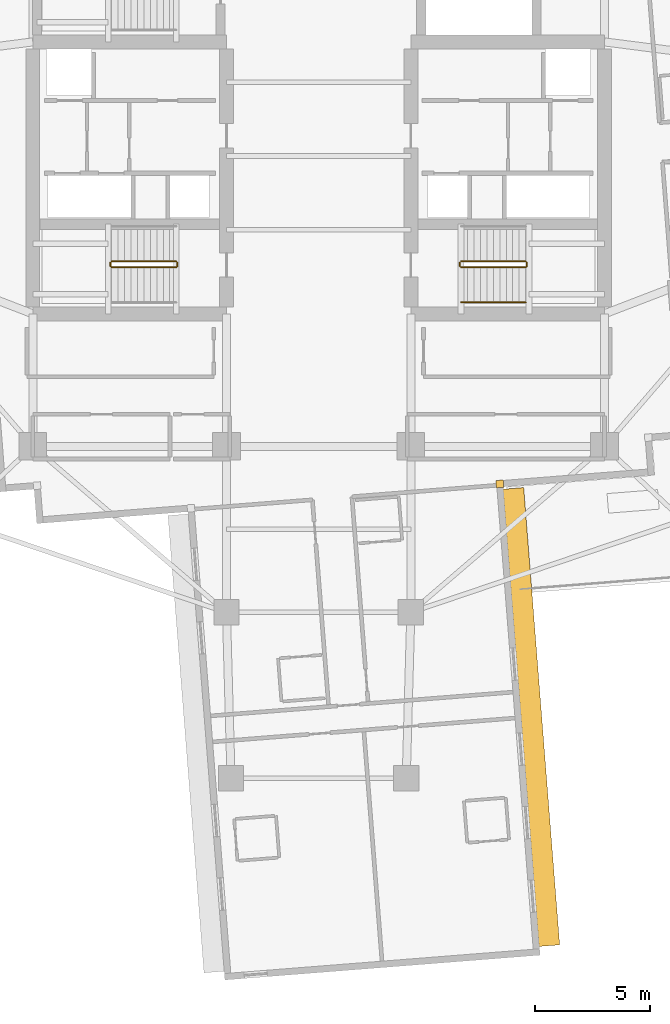
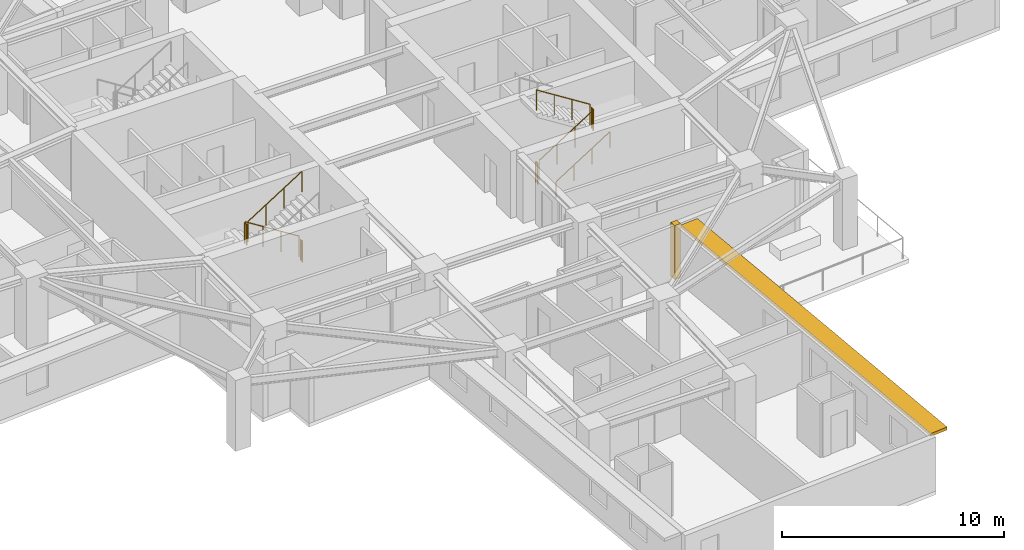
# One storey, part 11 of 14: 9 railings, 1 covering, 1 shading device.
"""IFC4 building model written with IfcOpenShell, lengths in metres."""

from ifc_helpers import new_model, si_unit, direction, frame, origin, origin_2d, place, context, subcontext, project, spatial, rectangle, circle, extrude, material, layer, layer_set, type_object, element, save


model = new_model("IFC4")

# Units and contexts
model_context = context("Model", 3, precision=1e-05, world=origin(), true_north=direction((0.0, 1.0)))
body_context = subcontext(model_context, "Body", "Model", "MODEL_VIEW")
ifc_project = project(units=[si_unit("LENGTHUNIT", "METRE"), si_unit("AREAUNIT", "SQUARE_METRE"), si_unit("VOLUMEUNIT", "CUBIC_METRE"), si_unit("PLANEANGLEUNIT", "RADIAN"), si_unit("MASSUNIT", "GRAM", prefix="KILO")], contexts=[model_context])

# Site, building, storey
site_placement = place(None, origin())
site = spatial("IfcSite", under=ifc_project, at=site_placement, CompositionType="ELEMENT")
building_placement = place(site_placement, origin())
building = spatial("IfcBuilding", under=site, at=building_placement, Name="Qingluan Cross Belvedere", CompositionType="ELEMENT")
storey_placement = place(building_placement, frame((0.0, 0.0, 124.199951171875)))
storey = spatial("IfcBuildingStorey", under=building, at=storey_placement, Name="L31", CompositionType="ELEMENT", Elevation=124.199951171875)

# Covering
ifc_material_1 = material(Name="Precast concrete C45", Category="concrete")
ifc_layer_1 = layer(ifc_material_1, 0.1201171875, Name="ConcreteSpandrelCladding_120")
ifc_layer_set_1 = layer_set([ifc_layer_1], Name="Precast concrete C45")
covering_type = type_object("IfcCoveringType", Name="ConcreteSpandrelCladding_120", PredefinedType="CLADDING", material=ifc_layer_set_1)
covering_placement = place(storey_placement, frame((7.860595703125, -14.22705078125, 0.0), z_axis=(0.0, 0.0, 1.0), x_axis=(0.996917333733, 0.078459095728, 0.0)))
element("IfcCovering", 1, at=covering_placement, inside=storey, type_object=covering_type, Name="Corner closure L31-SE2", PredefinedType="CLADDING", context=body_context, shape_type="SweptSolid", body=[
    extrude(rectangle(XDim=0.320068359375, YDim=0.320068359375, at=origin_2d()), origin(), (0.0, 0.0, 1.0), 2.969970703125),
])

# Shading device
ifc_material_2 = material(Name="Precast concrete C45", Category="concrete")
ifc_layer_2 = layer(ifc_material_2, 0.159912109375, Name="ConcreteSunshadeBand_900")
ifc_layer_set_2 = layer_set([ifc_layer_2], Name="Precast concrete C45")
shading_device_type = type_object("IfcShadingDeviceType", Name="ConcreteSunshadeBand_900", PredefinedType="USERDEFINED", material=ifc_layer_set_2)
shading_device_placement = place(storey_placement, frame((9.228271484375, -24.341064453125, 2.7900390625), z_axis=(0.0, 0.0, 1.0), x_axis=(-0.078457869429, 0.996917430244, 0.0)))
element("IfcShadingDevice", 2, at=shading_device_placement, inside=storey, type_object=shading_device_type, Name="Concrete SUNSHADE L31-SB", ObjectType="SUNSHADE", PredefinedType="USERDEFINED", context=body_context, shape_type="SweptSolid", body=[
    extrude(rectangle(XDim=19.89990234375, YDim=0.89990234375, at=origin_2d()), origin(), (0.0, 0.0, 1.0), 0.159912109375),
])

# Railings
ifc_material_3 = material(Name="Brushed stainless steel tubular handrail", Category="steel")
railing_type_1 = type_object("IfcRailingType", Name="StairPitchHandrail_900", PredefinedType="HANDRAIL", material=ifc_material_3)
railing_1_placement = place(storey_placement, frame((6.179931640625, -6.35009765625, 0.17724609375)))
element("IfcRailing", 3, at=railing_1_placement, inside=storey, type_object=railing_type_1, Name="L31 ST2 stair handrail 1", PredefinedType="HANDRAIL", context=body_context, shape_type="SweptSolid", body=[
    extrude(circle(Radius=0.02392578125, at=origin_2d()), frame((0.0, 0.0, 0.8759765625), z_axis=(0.844908973607, 0.0, 0.534910110503), x_axis=(0.0, 1.0, 0.0)), (0.0, 0.0, 1.0), 3.31396484375),
    extrude(circle(Radius=0.02099609375, at=origin_2d()), origin(), (0.0, 0.0, 1.0), 0.851806640625),
    extrude(circle(Radius=0.02099609375, at=origin_2d()), frame((0.933349609375, 0.0, 0.5908203125)), (0.0, 0.0, 1.0), 0.851806640625),
    extrude(circle(Radius=0.02099609375, at=origin_2d()), frame((1.86669921875, 0.0, 1.181884765625)), (0.0, 0.0, 1.0), 0.851806640625),
    extrude(circle(Radius=0.02099609375, at=origin_2d()), frame((2.800048828125, 0.0, 1.772705078125)), (0.0, 0.0, 1.0), 0.851806640625),
])
ifc_material_4 = material(Name="Painted steel stair well guard", Category="steel")
railing_type_2 = type_object("IfcRailingType", Name="StairWellGuard_1150", PredefinedType="BALUSTRADE", material=ifc_material_4)
railing_2_placement = place(storey_placement, frame((-6.179931640625, -4.570068359375, 0.17724609375)))
element("IfcRailing", 4, at=railing_2_placement, inside=storey, type_object=railing_type_2, Name="L31 ST1 stair guard 1", PredefinedType="BALUSTRADE", context=body_context, shape_type="SweptSolid", body=[
    extrude(circle(Radius=0.02392578125, at=origin_2d()), frame((0.0, 0.0, 1.1259765625), z_axis=(-0.844908973607, 0.0, 0.534910110503), x_axis=(0.0, -1.0, 0.0)), (0.0, 0.0, 1.0), 3.31396484375),
    extrude(circle(Radius=0.02099609375, at=origin_2d()), origin(), (0.0, 0.0, 1.0), 1.101806640625),
    extrude(circle(Radius=0.02099609375, at=origin_2d()), frame((-0.933349609375, 0.0, 0.5908203125)), (0.0, 0.0, 1.0), 1.101806640625),
    extrude(circle(Radius=0.02099609375, at=origin_2d()), frame((-1.86669921875, 0.0, 1.181884765625)), (0.0, 0.0, 1.0), 1.101806640625),
    extrude(circle(Radius=0.02099609375, at=origin_2d()), frame((-2.800048828125, 0.0, 1.772705078125)), (0.0, 0.0, 1.0), 1.101806640625),
])
railing_3_placement = place(storey_placement, frame((-9.030029296875, -4.6201171875, 1.949951171875)))
element("IfcRailing", 5, at=railing_3_placement, inside=storey, type_object=railing_type_2, Name="L31 ST1 stair guard 2", PredefinedType="BALUSTRADE", context=body_context, shape_type="SweptSolid", body=[
    extrude(circle(Radius=0.02392578125, at=origin_2d()), frame((0.0, 0.0, 1.1259765625), z_axis=(0.0, -1.0, 0.0), x_axis=(1.0, 0.0, 0.0)), (0.0, 0.0, 1.0), 0.159912109375),
    extrude(circle(Radius=0.02099609375, at=origin_2d()), origin(), (0.0, 0.0, 1.0), 1.101806640625),
    extrude(circle(Radius=0.02099609375, at=origin_2d()), frame((0.0, -0.159912109375, 0.0)), (0.0, 0.0, 1.0), 1.101806640625),
])
railing_4_placement = place(storey_placement, frame((-8.97998046875, -4.830078125, 2.12744140625)))
element("IfcRailing", 6, at=railing_4_placement, inside=storey, type_object=railing_type_2, Name="L31 ST1 stair guard 3", PredefinedType="BALUSTRADE", context=body_context, shape_type="SweptSolid", body=[
    extrude(circle(Radius=0.02392578125, at=origin_2d()), frame((0.0, 0.0, 1.1259765625), z_axis=(0.844908973607, 0.0, 0.534910110503), x_axis=(0.0, 1.0, 0.0)), (0.0, 0.0, 1.0), 3.31396484375),
    extrude(circle(Radius=0.02099609375, at=origin_2d()), origin(), (0.0, 0.0, 1.0), 1.101806640625),
    extrude(circle(Radius=0.02099609375, at=origin_2d()), frame((0.933349609375, 0.0, 0.5908203125)), (0.0, 0.0, 1.0), 1.101806640625),
    extrude(circle(Radius=0.02099609375, at=origin_2d()), frame((1.86669921875, 0.0, 1.181884765625)), (0.0, 0.0, 1.0), 1.101806640625),
    extrude(circle(Radius=0.02099609375, at=origin_2d()), frame((2.800048828125, 0.0, 1.772705078125)), (0.0, 0.0, 1.0), 1.101806640625),
])
railing_5_placement = place(storey_placement, frame((-6.1298828125, -4.6201171875, 0.0)))
element("IfcRailing", 7, at=railing_5_placement, inside=storey, type_object=railing_type_2, Name="L31 ST1 stair guard 4", PredefinedType="BALUSTRADE", context=body_context, shape_type="SweptSolid", body=[
    extrude(circle(Radius=0.02392578125, at=origin_2d()), frame((0.0, 0.0, 1.1259765625), z_axis=(0.0, -1.0, 0.0), x_axis=(1.0, 0.0, 0.0)), (0.0, 0.0, 1.0), 0.159912109375),
    extrude(circle(Radius=0.02099609375, at=origin_2d()), origin(), (0.0, 0.0, 1.0), 1.101806640625),
    extrude(circle(Radius=0.02099609375, at=origin_2d()), frame((0.0, -0.159912109375, 0.0)), (0.0, 0.0, 1.0), 1.101806640625),
])
railing_6_placement = place(storey_placement, frame((6.179931640625, -4.830078125, 0.17724609375)))
element("IfcRailing", 8, at=railing_6_placement, inside=storey, type_object=railing_type_2, Name="L31 ST2 stair guard 1", PredefinedType="BALUSTRADE", context=body_context, shape_type="SweptSolid", body=[
    extrude(circle(Radius=0.02392578125, at=origin_2d()), frame((0.0, 0.0, 1.1259765625), z_axis=(0.844908973607, 0.0, 0.534910110503), x_axis=(0.0, 1.0, 0.0)), (0.0, 0.0, 1.0), 3.31396484375),
    extrude(circle(Radius=0.02099609375, at=origin_2d()), origin(), (0.0, 0.0, 1.0), 1.101806640625),
    extrude(circle(Radius=0.02099609375, at=origin_2d()), frame((0.933349609375, 0.0, 0.5908203125)), (0.0, 0.0, 1.0), 1.101806640625),
    extrude(circle(Radius=0.02099609375, at=origin_2d()), frame((1.86669921875, 0.0, 1.181884765625)), (0.0, 0.0, 1.0), 1.101806640625),
    extrude(circle(Radius=0.02099609375, at=origin_2d()), frame((2.800048828125, 0.0, 1.772705078125)), (0.0, 0.0, 1.0), 1.101806640625),
])
railing_7_placement = place(storey_placement, frame((9.030029296875, -4.780029296875, 1.949951171875)))
element("IfcRailing", 9, at=railing_7_placement, inside=storey, type_object=railing_type_2, Name="L31 ST2 stair guard 2", PredefinedType="BALUSTRADE", context=body_context, shape_type="SweptSolid", body=[
    extrude(circle(Radius=0.02392578125, at=origin_2d()), frame((0.0, 0.0, 1.1259765625), z_axis=(0.0, 1.0, 0.0), x_axis=(-1.0, 0.0, 0.0)), (0.0, 0.0, 1.0), 0.159912109375),
    extrude(circle(Radius=0.02099609375, at=origin_2d()), origin(), (0.0, 0.0, 1.0), 1.101806640625),
    extrude(circle(Radius=0.02099609375, at=origin_2d()), frame((0.0, 0.159912109375, 0.0)), (0.0, 0.0, 1.0), 1.101806640625),
])
railing_8_placement = place(storey_placement, frame((8.97998046875, -4.570068359375, 2.12744140625)))
element("IfcRailing", 10, at=railing_8_placement, inside=storey, type_object=railing_type_2, Name="L31 ST2 stair guard 3", PredefinedType="BALUSTRADE", context=body_context, shape_type="SweptSolid", body=[
    extrude(circle(Radius=0.02392578125, at=origin_2d()), frame((0.0, 0.0, 1.1259765625), z_axis=(-0.844908973607, 0.0, 0.534910110503), x_axis=(0.0, -1.0, 0.0)), (0.0, 0.0, 1.0), 3.31396484375),
    extrude(circle(Radius=0.02099609375, at=origin_2d()), origin(), (0.0, 0.0, 1.0), 1.101806640625),
    extrude(circle(Radius=0.02099609375, at=origin_2d()), frame((-0.933349609375, 0.0, 0.5908203125)), (0.0, 0.0, 1.0), 1.101806640625),
    extrude(circle(Radius=0.02099609375, at=origin_2d()), frame((-1.86669921875, 0.0, 1.181884765625)), (0.0, 0.0, 1.0), 1.101806640625),
    extrude(circle(Radius=0.02099609375, at=origin_2d()), frame((-2.800048828125, 0.0, 1.772705078125)), (0.0, 0.0, 1.0), 1.101806640625),
])
railing_9_placement = place(storey_placement, frame((6.1298828125, -4.780029296875, 0.0)))
element("IfcRailing", 11, at=railing_9_placement, inside=storey, type_object=railing_type_2, Name="L31 ST2 stair guard 4", PredefinedType="BALUSTRADE", context=body_context, shape_type="SweptSolid", body=[
    extrude(circle(Radius=0.02392578125, at=origin_2d()), frame((0.0, 0.0, 1.1259765625), z_axis=(0.0, 1.0, 0.0), x_axis=(-1.0, 0.0, 0.0)), (0.0, 0.0, 1.0), 0.159912109375),
    extrude(circle(Radius=0.02099609375, at=origin_2d()), origin(), (0.0, 0.0, 1.0), 1.101806640625),
    extrude(circle(Radius=0.02099609375, at=origin_2d()), frame((0.0, 0.159912109375, 0.0)), (0.0, 0.0, 1.0), 1.101806640625),
])

save(model, "model.ifc")
